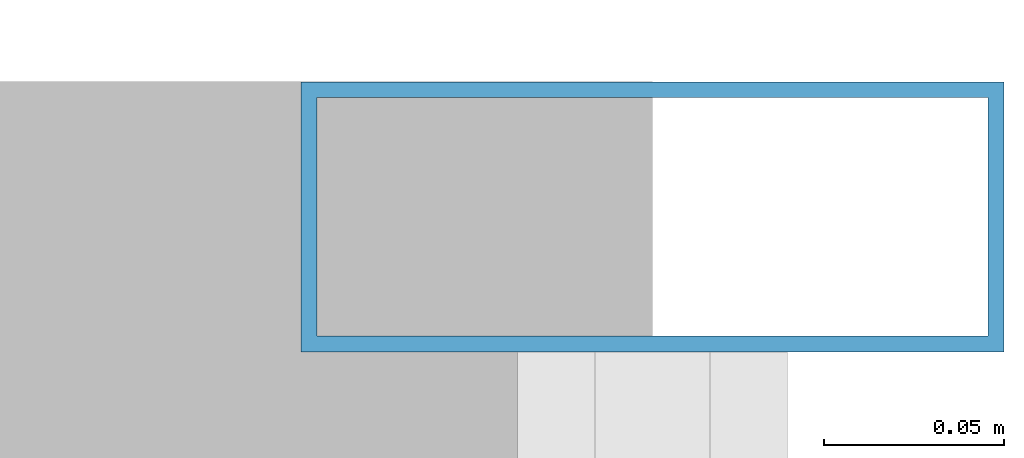
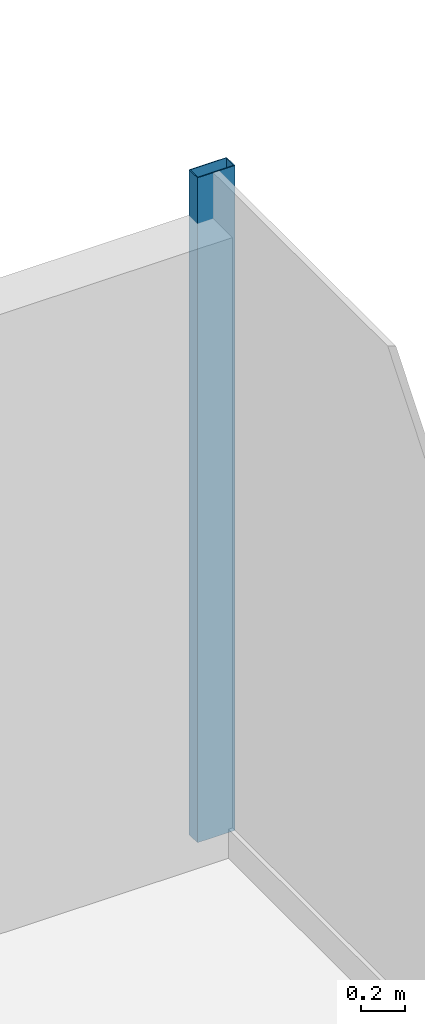
# One storey, part 18 of 25: 1 member, 1 element without a shape of its own.
"""IFC4 building model written with IfcOpenShell, lengths in metres."""

from ifc_helpers import new_model, si_unit, derived_unit, direction, frame, origin, origin_2d, place, context, subcontext, project, spatial, hollow_rectangle, extrude, source, transform, mapped, material, material_profile, profile_set, type_object, element, aggregate, save


model = new_model("IFC4")

# Units and contexts
model_context = context("Model", 3, precision=1e-05, world=origin(), true_north=direction((0.0, 1.0)))
body_context = subcontext(model_context, "Body", "Model", "MODEL_VIEW")
ifc_project = project(units=[si_unit("LENGTHUNIT", "METRE"), si_unit("AREAUNIT", "SQUARE_METRE"), si_unit("VOLUMEUNIT", "CUBIC_METRE"), si_unit("PLANEANGLEUNIT", "RADIAN"), si_unit("MASSUNIT", "GRAM", prefix="KILO"), derived_unit("THERMALTRANSMITTANCEUNIT", [(si_unit("POWERUNIT", "WATT"), 1), (si_unit("LENGTHUNIT", "METRE"), -2), (si_unit("THERMODYNAMICTEMPERATUREUNIT", "KELVIN"), -1)])], contexts=[model_context])

# Site, building, storey
site_placement = place(None, origin())
site = spatial("IfcSite", under=ifc_project, at=site_placement, CompositionType="ELEMENT")
building_placement = place(site_placement, origin())
building = spatial("IfcBuilding", under=site, at=building_placement, Name="Skarnbrae Concourse Arena and Tower", CompositionType="ELEMENT")
storey_placement = place(building_placement, frame((0.0, 0.0, 169.800048828125)))
storey = spatial("IfcBuildingStorey", under=building, at=storey_placement, Name="L43", CompositionType="ELEMENT", Elevation=169.800048828125)

# Curtain wall, member
ifc_material = material(Name="Bronze anodised aluminium 6063-T6", Category="aluminium")
curtain_wall_type = type_object("IfcCurtainWallType", Name="CW-SYS-04-MIDZONE", PredefinedType="USERDEFINED", material=ifc_material)
curtain_wall_placement = place(storey_placement, origin())
curtain_wall = element("IfcCurtainWall", 1, at=curtain_wall_placement, inside=storey, type_object=curtain_wall_type, Name="L43 Unitised curtain wall CW-L43-E04", ObjectType="UNITISED CURTAIN WALL", PredefinedType="USERDEFINED")
ifc_material_profile = material_profile(ifc_material, hollow_rectangle(XDim=0.074951171875, YDim=0.195068359375, WallThickness=0.00439453125, at=origin_2d()), Name="ALU-MULL-75X195")
ifc_profile_set = profile_set([ifc_material_profile], Name="Bronze anodised aluminium 6063-T6")
member_type = type_object("IfcMemberType", Name="CWM-CW-04", PredefinedType="MULLION", material=ifc_profile_set)
shared_shape = source(origin(), body_context, "Body", "SweptSolid", [
    extrude(hollow_rectangle(XDim=0.074951171875, YDim=0.195068359375, WallThickness=0.00439453125, at=origin_2d()), origin(), (0.0, 0.0, 1.0), 3.64990234375),
])
member_placement = place(storey_placement, frame((50.0, 32.96240234375, 0.0), z_axis=(0.0, 0.0, 1.0), x_axis=(0.0, 1.0, 0.0)))
member = element("IfcMember", 2, at=member_placement, type_object=member_type, Name="CW-L43-E04 Mullion 5", PredefinedType="MULLION", context=body_context, shape_type="MappedRepresentation", body=[
    mapped(shared_shape, transform((0.0, 0.0, 0.0))),
])
aggregate(curtain_wall, [member])

save(model, "model.ifc")
